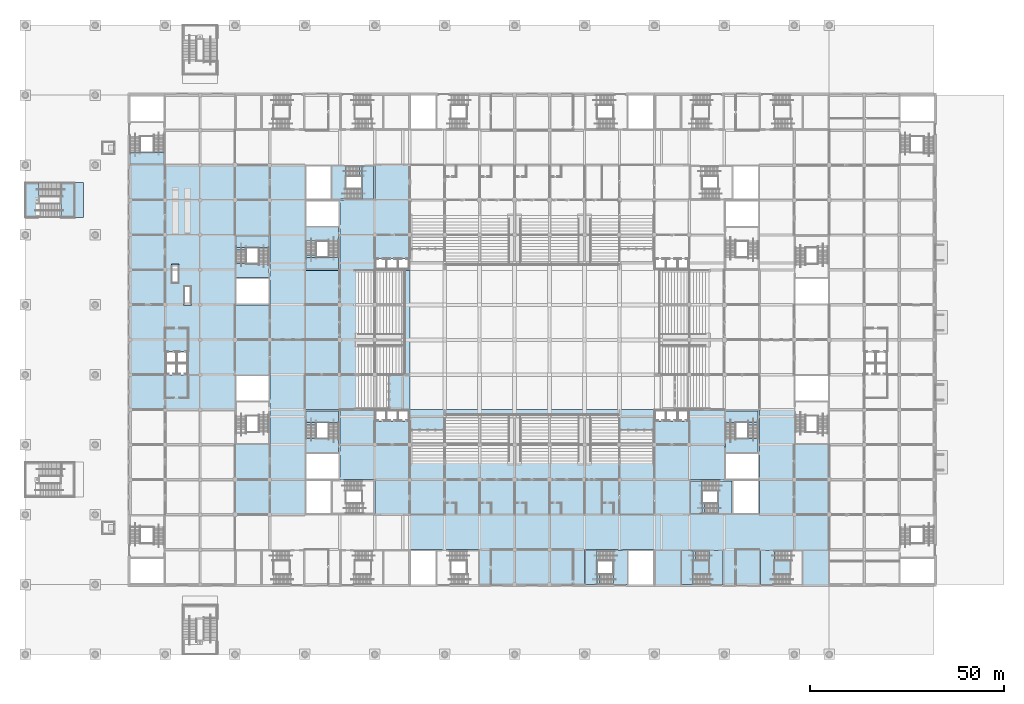
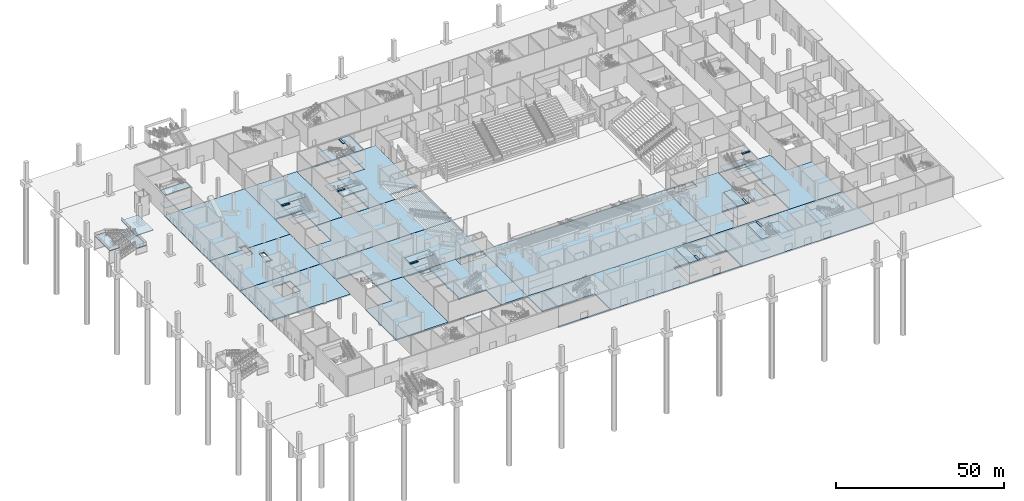
# One storey, part 19 of 92: 50 slabs, 11 elements without a shape of their own.
"""IFC4 building model written with IfcOpenShell, lengths in metres."""

from ifc_helpers import new_model, si_unit, direction, frame, origin, place, context, subcontext, project, spatial, polyline, outline, extrude, material, layer, layer_set, type_object, element, aggregate, save


model = new_model("IFC4")

# Units and contexts
model_context = context("Model", 3, precision=1e-05, world=origin(), true_north=direction((0.0, 1.0)))
body_context = subcontext(model_context, "Body", "Model", "MODEL_VIEW")
ifc_project = project(units=[si_unit("LENGTHUNIT", "METRE"), si_unit("AREAUNIT", "SQUARE_METRE"), si_unit("VOLUMEUNIT", "CUBIC_METRE"), si_unit("PLANEANGLEUNIT", "RADIAN"), si_unit("MASSUNIT", "GRAM", prefix="KILO")], contexts=[model_context])

# Site, building, storey
site_placement = place(None, origin())
site = spatial("IfcSite", under=ifc_project, at=site_placement, CompositionType="ELEMENT")
building_placement = place(site_placement, origin())
building = spatial("IfcBuilding", under=site, at=building_placement, Name="Silverbay Arena", CompositionType="ELEMENT")
storey_placement = place(building_placement, origin())
storey = spatial("IfcBuildingStorey", under=building, at=storey_placement, Name="L00", CompositionType="ELEMENT", Elevation=0.0)

# Slabs
ifc_material_1 = material(Name="Stainless steel", Category="steel")
ifc_layer_1 = layer(ifc_material_1, 0.011962890625)
ifc_layer_set_1 = layer_set([ifc_layer_1], Name="Stainless steel")
slab_type_1 = type_object("IfcSlabType", Name="Escalator landing plate 12", PredefinedType="LANDING", material=ifc_layer_set_1)
slab_1_placement = place(storey_placement, origin())
element("IfcSlab", 1, at=slab_1_placement, inside=storey, type_object=slab_type_1, Name="Escalator landing plate LF28", PredefinedType="LANDING", context=body_context, shape_type="SweptSolid", body=[
    extrude(outline(polyline([(37.60009765625, 99.892333984375), (39.60009765625, 99.892333984375), (39.60009765625, 100.542236328125), (37.60009765625, 100.542236328125), (37.60009765625, 99.892333984375)])), origin(), (0.0, 0.0, 1.0), 0.011962890625),
])
slab_2_placement = place(storey_placement, origin())
element("IfcSlab", 2, at=slab_2_placement, inside=storey, type_object=slab_type_1, Name="Escalator landing plate LF29", PredefinedType="LANDING", context=body_context, shape_type="SweptSolid", body=[
    extrude(outline(polyline([(40.800048828125, 89.85009765625), (42.800048828125, 89.85009765625), (42.800048828125, 90.5), (40.800048828125, 90.5), (40.800048828125, 89.85009765625)])), origin(), (0.0, 0.0, 1.0), 0.011962890625),
])
ifc_material_2 = material(Name="Concrete Grade C45", Category="concrete")
ifc_layer_2 = layer(ifc_material_2, 0.449951171875)
ifc_layer_set_2 = layer_set([ifc_layer_2], Name="Concrete Grade C45")
slab_type_2 = type_object("IfcSlabType", Name="RC floor slab 450", PredefinedType="FLOOR", material=ifc_layer_set_2)
slab_3_placement = place(storey_placement, frame((0.0, 0.0, -0.449951171875)))
element("IfcSlab", 3, at=slab_3_placement, inside=storey, type_object=slab_type_2, Name="Floor slab L00 unit 3", PredefinedType="FLOOR", context=body_context, shape_type="SweptSolid", body=[
    extrude(outline(polyline([(162.0, 35.97509765625), (162.0, 27.0), (144.0, 27.0), (144.0, 18.0), (162.0, 18.0), (162.0, 17.5), (99.0, 17.5), (99.0, 18.0), (117.0, 18.0), (117.0, 27.0), (99.0, 27.0), (99.0, 35.97509765625), (162.0, 35.97509765625)])), origin(), (0.0, 0.0, 1.0), 0.449951171875),
])
slab_4_placement = place(storey_placement, frame((0.0, 0.0, -0.449951171875)))
element("IfcSlab", 4, at=slab_4_placement, inside=storey, type_object=slab_type_2, Name="Floor slab L00 unit 4", PredefinedType="FLOOR", context=body_context, shape_type="SweptSolid", body=[
    extrude(outline(polyline([(207.0, 17.5), (162.0, 17.5), (162.0, 35.97509765625), (207.0, 35.97509765625), (207.0, 17.5)])), origin(), (0.0, 0.0, 1.0), 0.449951171875),
])
slab_5_placement = place(storey_placement, frame((0.0, 0.0, -0.449951171875)))
element("IfcSlab", 5, at=slab_5_placement, inside=storey, type_object=slab_type_2, Name="Floor slab L00 unit 7", PredefinedType="FLOOR", context=body_context, shape_type="SweptSolid", body=[
    extrude(outline(polyline([(99.0, 63.10009765625), (99.0, 62.75), (98.5, 62.75), (98.5, 63.0), (96.35009765625, 63.0), (96.35009765625, 62.75), (95.64990234375, 62.75), (95.64990234375, 63.0), (93.35009765625, 63.0), (93.35009765625, 62.75), (92.64990234375, 62.75), (92.64990234375, 63.0), (90.0, 63.0), (90.0, 60.0), (92.64990234375, 60.0), (92.64990234375, 60.25), (93.35009765625, 60.25), (93.35009765625, 60.0), (95.64990234375, 60.0), (95.64990234375, 60.25), (96.35009765625, 60.25), (96.35009765625, 60.0), (98.5, 60.0), (98.5, 60.25), (99.0, 60.25), (99.0, 35.97509765625), (54.0, 35.97509765625), (54.0, 54.0), (63.0, 54.0), (63.0, 63.10009765625), (99.0, 63.10009765625)]), holes=[polyline([(78.39990234375, 36.300048828125), (79.300048828125, 36.300048828125), (79.300048828125, 36.0), (90.0, 36.0), (90.0, 45.0), (81.0, 45.0), (81.0, 44.699951171875), (80.699951171875, 44.699951171875), (80.699951171875, 45.60009765625), (81.0, 45.60009765625), (81.0, 51.39990234375), (80.699951171875, 51.39990234375), (80.699951171875, 52.300048828125), (81.0, 52.300048828125), (81.0, 63.0), (72.0, 63.0), (72.0, 52.300048828125), (72.300048828125, 52.300048828125), (72.300048828125, 51.39990234375), (72.0, 51.39990234375), (72.0, 45.60009765625), (72.300048828125, 45.60009765625), (72.300048828125, 44.699951171875), (72.0, 44.699951171875), (72.0, 36.0), (78.39990234375, 36.0), (78.39990234375, 36.300048828125)])]), origin(), (0.0, 0.0, 1.0), 0.449951171875),
])
slab_6_placement = place(storey_placement, frame((0.0, 0.0, -0.449951171875)))
element("IfcSlab", 6, at=slab_6_placement, inside=storey, type_object=slab_type_2, Name="Floor slab L00 unit 8", PredefinedType="FLOOR", context=body_context, shape_type="SweptSolid", body=[
    extrude(outline(polyline([(99.0, 63.10009765625), (162.0, 63.10009765625), (162.0, 35.97509765625), (99.0, 35.97509765625), (99.0, 63.10009765625)])), origin(), (0.0, 0.0, 1.0), 0.449951171875),
])
slab_7_placement = place(storey_placement, frame((0.0, 0.0, -0.449951171875)))
element("IfcSlab", 7, at=slab_7_placement, inside=storey, type_object=slab_type_2, Name="Floor slab L00 unit 9", PredefinedType="FLOOR", context=body_context, shape_type="SweptSolid", body=[
    extrude(outline(polyline([(162.5, 60.25), (162.5, 60.0), (164.64990234375, 60.0), (164.64990234375, 60.25), (165.35009765625, 60.25), (165.35009765625, 60.0), (167.64990234375, 60.0), (167.64990234375, 60.25), (168.35009765625, 60.25), (168.35009765625, 60.0), (171.0, 60.0), (171.0, 63.0), (168.35009765625, 63.0), (168.35009765625, 62.75), (167.64990234375, 62.75), (167.64990234375, 63.0), (165.35009765625, 63.0), (165.35009765625, 62.75), (164.64990234375, 62.75), (164.64990234375, 63.0), (162.5, 63.0), (162.5, 62.75), (162.0, 62.75), (162.0, 63.10009765625), (198.0, 63.10009765625), (198.0, 54.0), (207.0, 54.0), (207.0, 35.97509765625), (162.0, 35.97509765625), (162.0, 60.25), (162.5, 60.25)]), holes=[polyline([(181.699951171875, 36.300048828125), (182.60009765625, 36.300048828125), (182.60009765625, 36.0), (189.0, 36.0), (189.0, 44.699951171875), (188.699951171875, 44.699951171875), (188.699951171875, 45.60009765625), (189.0, 45.60009765625), (189.0, 51.39990234375), (188.699951171875, 51.39990234375), (188.699951171875, 52.300048828125), (189.0, 52.300048828125), (189.0, 63.0), (180.0, 63.0), (180.0, 52.300048828125), (180.300048828125, 52.300048828125), (180.300048828125, 51.39990234375), (180.0, 51.39990234375), (180.0, 45.60009765625), (180.300048828125, 45.60009765625), (180.300048828125, 44.699951171875), (180.0, 44.699951171875), (180.0, 45.0), (171.0, 45.0), (171.0, 36.0), (181.699951171875, 36.0), (181.699951171875, 36.300048828125)])]), origin(), (0.0, 0.0, 1.0), 0.449951171875),
])
slab_8_placement = place(storey_placement, frame((0.0, 0.0, -0.449951171875)))
element("IfcSlab", 8, at=slab_8_placement, inside=storey, type_object=slab_type_2, Name="Floor slab L00 unit 11", PredefinedType="FLOOR", context=body_context, shape_type="SweptSolid", body=[
    extrude(outline(polyline([(26.5, 98.89990234375), (37.75, 98.89990234375), (37.75, 95.6298828125), (39.449951171875, 95.6298828125), (39.449951171875, 98.89990234375), (54.0, 98.89990234375), (54.0, 97.300048828125), (54.300048828125, 97.300048828125), (54.300048828125, 96.39990234375), (54.0, 96.39990234375), (54.0, 90.60009765625), (54.300048828125, 90.60009765625), (54.300048828125, 90.0), (54.0, 90.0), (54.0, 81.050048828125), (26.5, 81.050048828125), (26.5, 98.89990234375)]), holes=[polyline([(40.949951171875, 94.764892578125), (40.949951171875, 90.0), (42.64990234375, 90.0), (42.64990234375, 94.764892578125), (40.949951171875, 94.764892578125)])]), origin(), (0.0, 0.0, 1.0), 0.449951171875),
])
slab_9_placement = place(storey_placement, frame((0.0, 0.0, -0.449951171875)))
element("IfcSlab", 9, at=slab_9_placement, inside=storey, type_object=slab_type_2, Name="Floor slab L00 unit 11 B", PredefinedType="FLOOR", context=body_context, shape_type="SweptSolid", body=[
    extrude(outline(polyline([(54.300048828125, 64.699951171875), (54.0, 64.699951171875), (54.0, 63.10009765625), (26.5, 63.10009765625), (26.5, 81.0), (54.0, 81.0), (54.0, 72.0), (54.300048828125, 72.0), (54.300048828125, 71.39990234375), (54.0, 71.39990234375), (54.0, 65.60009765625), (54.300048828125, 65.60009765625), (54.300048828125, 64.699951171875)]), holes=[polyline([(39.35009765625, 72.25), (39.35009765625, 72.0), (42.0, 72.0), (42.0, 78.0), (39.35009765625, 78.0), (39.35009765625, 77.75), (38.64990234375, 77.75), (38.64990234375, 78.0), (36.0, 78.0), (36.0, 72.0), (38.64990234375, 72.0), (38.64990234375, 72.25), (39.35009765625, 72.25)])]), origin(), (0.0, 0.0, 1.0), 0.449951171875),
])
slab_10_placement = place(storey_placement, frame((0.0, 0.0, -0.449951171875)))
element("IfcSlab", 10, at=slab_10_placement, inside=storey, type_object=slab_type_2, Name="Floor slab L00 unit 12", PredefinedType="FLOOR", context=body_context, shape_type="SweptSolid", body=[
    extrude(outline(polyline([(62.699951171875, 65.60009765625), (63.0, 65.60009765625), (63.0, 72.0), (54.0, 72.0), (54.0, 81.0), (99.0, 81.0), (99.0, 63.10009765625), (63.0, 63.10009765625), (63.0, 64.699951171875), (62.699951171875, 64.699951171875), (62.699951171875, 65.60009765625)])), origin(), (0.0, 0.0, 1.0), 0.449951171875),
])
slab_11_placement = place(storey_placement, frame((0.0, 0.0, -0.449951171875)))
element("IfcSlab", 11, at=slab_11_placement, inside=storey, type_object=slab_type_2, Name="Floor slab L00 unit 12 B", PredefinedType="FLOOR", context=body_context, shape_type="SweptSolid", body=[
    extrude(outline(polyline([(54.0, 90.0), (63.0, 90.0), (63.0, 96.39990234375), (62.699951171875, 96.39990234375), (62.699951171875, 97.300048828125), (63.0, 97.300048828125), (63.0, 98.89990234375), (99.0, 98.89990234375), (99.0, 81.050048828125), (54.0, 81.050048828125), (54.0, 90.0)])), origin(), (0.0, 0.0, 1.0), 0.449951171875),
])
slab_12_placement = place(storey_placement, frame((0.0, 0.0, -0.449951171875)))
element("IfcSlab", 12, at=slab_12_placement, inside=storey, type_object=slab_type_2, Name="Floor slab L00 unit 16", PredefinedType="FLOOR", context=body_context, shape_type="SweptSolid", body=[
    extrude(outline(polyline([(54.300048828125, 107.39990234375), (54.0, 107.39990234375), (54.0, 98.89990234375), (39.449951171875, 98.89990234375), (39.449951171875, 100.389892578125), (37.75, 100.389892578125), (37.75, 98.89990234375), (26.5, 98.89990234375), (26.5, 126.02490234375), (27.0, 126.02490234375), (27.0, 126.0), (36.0, 126.0), (36.0, 126.02490234375), (54.0, 126.02490234375), (54.0, 108.0), (54.300048828125, 108.0), (54.300048828125, 107.39990234375)])), origin(), (0.0, 0.0, 1.0), 0.449951171875),
])
slab_13_placement = place(storey_placement, frame((0.0, 0.0, -0.449951171875)))
element("IfcSlab", 13, at=slab_13_placement, inside=storey, type_object=slab_type_2, Name="Floor slab L00 unit 17", PredefinedType="FLOOR", context=body_context, shape_type="SweptSolid", body=[
    extrude(outline(polyline([(92.64990234375, 99.0), (92.64990234375, 99.25), (93.35009765625, 99.25), (93.35009765625, 99.0), (95.64990234375, 99.0), (95.64990234375, 99.25), (96.35009765625, 99.25), (96.35009765625, 99.0), (98.5, 99.0), (98.5, 99.25), (99.0, 99.25), (99.0, 98.89990234375), (63.0, 98.89990234375), (63.0, 108.0), (54.0, 108.0), (54.0, 126.02490234375), (99.0, 126.02490234375), (99.0, 101.75), (98.5, 101.75), (98.5, 102.0), (96.35009765625, 102.0), (96.35009765625, 101.75), (95.64990234375, 101.75), (95.64990234375, 102.0), (93.35009765625, 102.0), (93.35009765625, 101.75), (92.64990234375, 101.75), (92.64990234375, 102.0), (90.0, 102.0), (90.0, 99.0), (92.64990234375, 99.0)]), holes=[polyline([(72.300048828125, 110.60009765625), (72.300048828125, 109.699951171875), (72.0, 109.699951171875), (72.0, 99.0), (81.0, 99.0), (81.0, 109.699951171875), (80.699951171875, 109.699951171875), (80.699951171875, 110.60009765625), (81.0, 110.60009765625), (81.0, 116.39990234375), (80.699951171875, 116.39990234375), (80.699951171875, 117.300048828125), (81.0, 117.300048828125), (81.0, 117.0), (90.0, 117.0), (90.0, 126.0), (79.300048828125, 126.0), (79.300048828125, 125.699951171875), (78.39990234375, 125.699951171875), (78.39990234375, 126.0), (72.0, 126.0), (72.0, 117.300048828125), (72.300048828125, 117.300048828125), (72.300048828125, 116.39990234375), (72.0, 116.39990234375), (72.0, 110.60009765625), (72.300048828125, 110.60009765625)])]), origin(), (0.0, 0.0, 1.0), 0.449951171875),
])

# Stair, slab
ifc_material_3 = material(Name="Concrete Grade C45", Category="concrete")
stair_type_1 = type_object("IfcStairType", Name="Stair 2600 wide 48 risers 145.8 x 300", PredefinedType="HALF_TURN_STAIR", material=ifc_material_3)
stair_1_placement = place(storey_placement, origin())
stair_1 = element("IfcStair", 14, at=stair_1_placement, inside=storey, type_object=stair_type_1, Name="Stair ST-S3 L00 to L01", PredefinedType="HALF_TURN_STAIR")
ifc_material_4 = material(Name="Concrete Grade C45", Category="concrete")
ifc_layer_3 = layer(ifc_material_4, 0.25)
ifc_layer_set_3 = layer_set([ifc_layer_3], Name="Concrete Grade C45")
slab_type_3 = type_object("IfcSlabType", Name="Stair arrival platform RC 250", PredefinedType="FLOOR", material=ifc_layer_set_3)
slab_14_placement = place(storey_placement, frame((0.0, 0.0, 6.75)))
slab_14 = element("IfcSlab", 15, at=slab_14_placement, type_object=slab_type_3, Name="Stair ST-S3 L00 to L01 arrival platform 4", PredefinedType="FLOOR", context=body_context, shape_type="SweptSolid", body=[
    extrude(outline(polyline([(147.89990234375, 20.60009765625), (147.2431640625, 20.60009765625), (147.2431640625, 18.0), (147.89990234375, 18.0), (147.89990234375, 20.60009765625)])), origin(), (0.0, 0.0, 1.0), 0.25),
])

stair_2_placement = place(storey_placement, origin())
stair_2 = element("IfcStair", 16, at=stair_2_placement, inside=storey, type_object=stair_type_1, Name="Stair ST-S4 L00 to L01", PredefinedType="HALF_TURN_STAIR")
slab_15_placement = place(storey_placement, frame((0.0, 0.0, 6.75)))
slab_15 = element("IfcSlab", 17, at=slab_15_placement, type_object=slab_type_3, Name="Stair ST-S4 L00 to L01 arrival platform 4", PredefinedType="FLOOR", context=body_context, shape_type="SweptSolid", body=[
    extrude(outline(polyline([(172.60009765625, 26.699951171875), (171.943115234375, 26.699951171875), (171.943115234375, 24.10009765625), (172.60009765625, 24.10009765625), (172.60009765625, 26.699951171875)])), origin(), (0.0, 0.0, 1.0), 0.25),
])

stair_3_placement = place(storey_placement, origin())
stair_3 = element("IfcStair", 18, at=stair_3_placement, inside=storey, type_object=stair_type_1, Name="Stair ST-W2 L00 to L01", PredefinedType="HALF_TURN_STAIR")
slab_16_placement = place(storey_placement, frame((0.0, 0.0, 6.75)))
slab_16 = element("IfcSlab", 19, at=slab_16_placement, type_object=slab_type_3, Name="Stair ST-W2 L00 to L01 arrival platform 4", PredefinedType="FLOOR", context=body_context, shape_type="SweptSolid", body=[
    extrude(outline(polyline([(56.89990234375, 104.10009765625), (56.89990234375, 104.7568359375), (54.300048828125, 104.7568359375), (54.300048828125, 104.10009765625), (56.89990234375, 104.10009765625)])), origin(), (0.0, 0.0, 1.0), 0.25),
])

stair_4_placement = place(storey_placement, origin())
stair_4 = element("IfcStair", 20, at=stair_4_placement, inside=storey, type_object=stair_type_1, Name="Stair ST-SW2 L00 to L01", PredefinedType="HALF_TURN_STAIR")
slab_17_placement = place(storey_placement, frame((0.0, 0.0, 6.75)))
slab_17 = element("IfcSlab", 21, at=slab_17_placement, type_object=slab_type_3, Name="Stair ST-SW2 L00 to L01 arrival platform 4", PredefinedType="FLOOR", context=body_context, shape_type="SweptSolid", body=[
    extrude(outline(polyline([(74.89990234375, 59.10009765625), (74.89990234375, 59.7568359375), (72.300048828125, 59.7568359375), (72.300048828125, 59.10009765625), (74.89990234375, 59.10009765625)])), origin(), (0.0, 0.0, 1.0), 0.25),
])

stair_5_placement = place(storey_placement, origin())
stair_5 = element("IfcStair", 22, at=stair_5_placement, inside=storey, type_object=stair_type_1, Name="Stair ST-SE1 L00 to L01", PredefinedType="HALF_TURN_STAIR")
slab_18_placement = place(storey_placement, frame((0.0, 0.0, 6.75)))
slab_18 = element("IfcSlab", 23, at=slab_18_placement, type_object=slab_type_3, Name="Stair ST-SE1 L00 to L01 arrival platform 4", PredefinedType="FLOOR", context=body_context, shape_type="SweptSolid", body=[
    extrude(outline(polyline([(174.89990234375, 38.89990234375), (174.2431640625, 38.89990234375), (174.2431640625, 36.300048828125), (174.89990234375, 36.300048828125), (174.89990234375, 38.89990234375)])), origin(), (0.0, 0.0, 1.0), 0.25),
])

stair_6_placement = place(storey_placement, origin())
stair_6 = element("IfcStair", 24, at=stair_6_placement, inside=storey, type_object=stair_type_1, Name="Stair ST-SE2 L00 to L01", PredefinedType="HALF_TURN_STAIR")
slab_19_placement = place(storey_placement, frame((0.0, 0.0, 6.75)))
slab_19 = element("IfcSlab", 25, at=slab_19_placement, type_object=slab_type_3, Name="Stair ST-SE2 L00 to L01 arrival platform 4", PredefinedType="FLOOR", context=body_context, shape_type="SweptSolid", body=[
    extrude(outline(polyline([(186.10009765625, 59.10009765625), (186.10009765625, 59.7568359375), (188.699951171875, 59.7568359375), (188.699951171875, 59.10009765625), (186.10009765625, 59.10009765625)])), origin(), (0.0, 0.0, 1.0), 0.25),
])

stair_7_placement = place(storey_placement, origin())
stair_7 = element("IfcStair", 26, at=stair_7_placement, inside=storey, type_object=stair_type_1, Name="Stair ST-NW1 L00 to L01", PredefinedType="HALF_TURN_STAIR")
slab_20_placement = place(storey_placement, frame((0.0, 0.0, 6.75)))
slab_20 = element("IfcSlab", 27, at=slab_20_placement, type_object=slab_type_3, Name="Stair ST-NW1 L00 to L01 arrival platform 4", PredefinedType="FLOOR", context=body_context, shape_type="SweptSolid", body=[
    extrude(outline(polyline([(86.10009765625, 123.10009765625), (86.7568359375, 123.10009765625), (86.7568359375, 125.699951171875), (86.10009765625, 125.699951171875), (86.10009765625, 123.10009765625)])), origin(), (0.0, 0.0, 1.0), 0.25),
])

stair_8_placement = place(storey_placement, origin())
stair_8 = element("IfcStair", 28, at=stair_8_placement, inside=storey, type_object=stair_type_1, Name="Stair ST-NW2 L00 to L01", PredefinedType="HALF_TURN_STAIR")
slab_21_placement = place(storey_placement, frame((0.0, 0.0, 6.75)))
slab_21 = element("IfcSlab", 29, at=slab_21_placement, type_object=slab_type_3, Name="Stair ST-NW2 L00 to L01 arrival platform 4", PredefinedType="FLOOR", context=body_context, shape_type="SweptSolid", body=[
    extrude(outline(polyline([(74.89990234375, 102.89990234375), (74.89990234375, 102.2431640625), (72.300048828125, 102.2431640625), (72.300048828125, 102.89990234375), (74.89990234375, 102.89990234375)])), origin(), (0.0, 0.0, 1.0), 0.25),
])

# Slab
ifc_material_5 = material(Name="Concrete Grade C45", Category="concrete")
ifc_layer_4 = layer(ifc_material_5, 0.25)
ifc_layer_set_4 = layer_set([ifc_layer_4], Name="Concrete Grade C45")
slab_type_4 = type_object("IfcSlabType", Name="Stair landing RC 250", PredefinedType="LANDING", material=ifc_layer_set_4)
slab_22_placement = place(storey_placement, frame((0.0, 0.0, 2.083251953125)))
slab_22 = element("IfcSlab", 30, at=slab_22_placement, type_object=slab_type_4, Name="Stair ST-S3 L00 to L01 landing 1", PredefinedType="LANDING", context=body_context, shape_type="SweptSolid", body=[
    extrude(outline(polyline([(147.2431640625, 26.699951171875), (144.300048828125, 26.699951171875), (144.300048828125, 18.0), (147.2431640625, 18.0), (147.2431640625, 26.699951171875)])), origin(), (0.0, 0.0, 1.0), 0.25),
])

slab_23_placement = place(storey_placement, frame((0.0, 0.0, 4.416748046875)))
slab_23 = element("IfcSlab", 31, at=slab_23_placement, type_object=slab_type_4, Name="Stair ST-S3 L00 to L01 landing 2", PredefinedType="LANDING", context=body_context, shape_type="SweptSolid", body=[
    extrude(outline(polyline([(155.0, 26.699951171875), (151.39990234375, 26.699951171875), (151.39990234375, 18.0), (155.0, 18.0), (155.0, 26.699951171875)])), origin(), (0.0, 0.0, 1.0), 0.25),
])

slab_24_placement = place(storey_placement, frame((0.0, 0.0, 6.75)))
slab_24 = element("IfcSlab", 32, at=slab_24_placement, type_object=slab_type_4, Name="Stair ST-S3 L00 to L01 landing 3", PredefinedType="LANDING", context=body_context, shape_type="SweptSolid", body=[
    extrude(outline(polyline([(147.2431640625, 26.699951171875), (144.300048828125, 26.699951171875), (144.300048828125, 18.0), (147.2431640625, 18.0), (147.2431640625, 26.699951171875)])), origin(), (0.0, 0.0, 1.0), 0.25),
])

aggregate(stair_1, [slab_22, slab_23, slab_24, slab_14])

slab_25_placement = place(storey_placement, frame((0.0, 0.0, 2.083251953125)))
slab_25 = element("IfcSlab", 33, at=slab_25_placement, type_object=slab_type_4, Name="Stair ST-S4 L00 to L01 landing 1", PredefinedType="LANDING", context=body_context, shape_type="SweptSolid", body=[
    extrude(outline(polyline([(171.943115234375, 26.699951171875), (169.0, 26.699951171875), (169.0, 18.0), (171.943115234375, 18.0), (171.943115234375, 26.699951171875)])), origin(), (0.0, 0.0, 1.0), 0.25),
])

slab_26_placement = place(storey_placement, frame((0.0, 0.0, 4.416748046875)))
slab_26 = element("IfcSlab", 34, at=slab_26_placement, type_object=slab_type_4, Name="Stair ST-S4 L00 to L01 landing 2", PredefinedType="LANDING", context=body_context, shape_type="SweptSolid", body=[
    extrude(outline(polyline([(179.699951171875, 26.699951171875), (176.10009765625, 26.699951171875), (176.10009765625, 18.0), (179.699951171875, 18.0), (179.699951171875, 26.699951171875)])), origin(), (0.0, 0.0, 1.0), 0.25),
])

slab_27_placement = place(storey_placement, frame((0.0, 0.0, 6.75)))
slab_27 = element("IfcSlab", 35, at=slab_27_placement, type_object=slab_type_4, Name="Stair ST-S4 L00 to L01 landing 3", PredefinedType="LANDING", context=body_context, shape_type="SweptSolid", body=[
    extrude(outline(polyline([(171.943115234375, 26.699951171875), (169.0, 26.699951171875), (169.0, 18.0), (171.943115234375, 18.0), (171.943115234375, 26.699951171875)])), origin(), (0.0, 0.0, 1.0), 0.25),
])

aggregate(stair_2, [slab_25, slab_26, slab_27, slab_15])

# Stair, slab
stair_9_placement = place(storey_placement, origin())
stair_9 = element("IfcStair", 36, at=stair_9_placement, inside=storey, type_object=stair_type_1, Name="Stair ST-S6 L00 to L01", PredefinedType="HALF_TURN_STAIR")
slab_28_placement = place(storey_placement, frame((0.0, 0.0, 4.416748046875)))
slab_28 = element("IfcSlab", 37, at=slab_28_placement, type_object=slab_type_4, Name="Stair ST-S6 L00 to L01 landing 2", PredefinedType="LANDING", context=body_context, shape_type="SweptSolid", body=[
    extrude(outline(polyline([(189.300048828125, 26.699951171875), (192.89990234375, 26.699951171875), (192.89990234375, 18.0), (189.300048828125, 18.0), (189.300048828125, 26.699951171875)])), origin(), (0.0, 0.0, 1.0), 0.25),
])
aggregate(stair_9, [slab_28])

# Slab
slab_29_placement = place(storey_placement, frame((0.0, 0.0, 2.083251953125)))
slab_29 = element("IfcSlab", 38, at=slab_29_placement, type_object=slab_type_4, Name="Stair ST-W2 L00 to L01 landing 1", PredefinedType="LANDING", context=body_context, shape_type="SweptSolid", body=[
    extrude(outline(polyline([(62.699951171875, 104.7568359375), (62.699951171875, 107.699951171875), (54.300048828125, 107.699951171875), (54.300048828125, 104.7568359375), (62.699951171875, 104.7568359375)])), origin(), (0.0, 0.0, 1.0), 0.25),
])

slab_30_placement = place(storey_placement, frame((0.0, 0.0, 4.416748046875)))
slab_30 = element("IfcSlab", 39, at=slab_30_placement, type_object=slab_type_4, Name="Stair ST-W2 L00 to L01 landing 2", PredefinedType="LANDING", context=body_context, shape_type="SweptSolid", body=[
    extrude(outline(polyline([(62.699951171875, 97.0), (62.699951171875, 100.60009765625), (54.300048828125, 100.60009765625), (54.300048828125, 97.0), (62.699951171875, 97.0)])), origin(), (0.0, 0.0, 1.0), 0.25),
])

slab_31_placement = place(storey_placement, frame((0.0, 0.0, 6.75)))
slab_31 = element("IfcSlab", 40, at=slab_31_placement, type_object=slab_type_4, Name="Stair ST-W2 L00 to L01 landing 3", PredefinedType="LANDING", context=body_context, shape_type="SweptSolid", body=[
    extrude(outline(polyline([(62.699951171875, 104.7568359375), (62.699951171875, 107.699951171875), (54.300048828125, 107.699951171875), (54.300048828125, 104.7568359375), (62.699951171875, 104.7568359375)])), origin(), (0.0, 0.0, 1.0), 0.25),
])

aggregate(stair_3, [slab_29, slab_30, slab_31, slab_16])

slab_32_placement = place(storey_placement, frame((0.0, 0.0, 2.083251953125)))
slab_32 = element("IfcSlab", 41, at=slab_32_placement, type_object=slab_type_4, Name="Stair ST-SW2 L00 to L01 landing 1", PredefinedType="LANDING", context=body_context, shape_type="SweptSolid", body=[
    extrude(outline(polyline([(80.699951171875, 59.7568359375), (80.699951171875, 62.699951171875), (72.300048828125, 62.699951171875), (72.300048828125, 59.7568359375), (80.699951171875, 59.7568359375)])), origin(), (0.0, 0.0, 1.0), 0.25),
])

slab_33_placement = place(storey_placement, frame((0.0, 0.0, 4.416748046875)))
slab_33 = element("IfcSlab", 42, at=slab_33_placement, type_object=slab_type_4, Name="Stair ST-SW2 L00 to L01 landing 2", PredefinedType="LANDING", context=body_context, shape_type="SweptSolid", body=[
    extrude(outline(polyline([(80.699951171875, 52.0), (80.699951171875, 55.60009765625), (72.300048828125, 55.60009765625), (72.300048828125, 52.0), (80.699951171875, 52.0)])), origin(), (0.0, 0.0, 1.0), 0.25),
])

slab_34_placement = place(storey_placement, frame((0.0, 0.0, 6.75)))
slab_34 = element("IfcSlab", 43, at=slab_34_placement, type_object=slab_type_4, Name="Stair ST-SW2 L00 to L01 landing 3", PredefinedType="LANDING", context=body_context, shape_type="SweptSolid", body=[
    extrude(outline(polyline([(80.699951171875, 59.7568359375), (80.699951171875, 62.699951171875), (72.300048828125, 62.699951171875), (72.300048828125, 59.7568359375), (80.699951171875, 59.7568359375)])), origin(), (0.0, 0.0, 1.0), 0.25),
])

aggregate(stair_4, [slab_32, slab_33, slab_34, slab_17])

slab_35_placement = place(storey_placement, frame((0.0, 0.0, 2.083251953125)))
slab_35 = element("IfcSlab", 44, at=slab_35_placement, type_object=slab_type_4, Name="Stair ST-SE1 L00 to L01 landing 1", PredefinedType="LANDING", context=body_context, shape_type="SweptSolid", body=[
    extrude(outline(polyline([(174.2431640625, 44.699951171875), (171.300048828125, 44.699951171875), (171.300048828125, 36.300048828125), (174.2431640625, 36.300048828125), (174.2431640625, 44.699951171875)])), origin(), (0.0, 0.0, 1.0), 0.25),
])

slab_36_placement = place(storey_placement, frame((0.0, 0.0, 4.416748046875)))
slab_36 = element("IfcSlab", 45, at=slab_36_placement, type_object=slab_type_4, Name="Stair ST-SE1 L00 to L01 landing 2", PredefinedType="LANDING", context=body_context, shape_type="SweptSolid", body=[
    extrude(outline(polyline([(182.0, 44.699951171875), (178.39990234375, 44.699951171875), (178.39990234375, 36.300048828125), (182.0, 36.300048828125), (182.0, 44.699951171875)])), origin(), (0.0, 0.0, 1.0), 0.25),
])

slab_37_placement = place(storey_placement, frame((0.0, 0.0, 6.75)))
slab_37 = element("IfcSlab", 46, at=slab_37_placement, type_object=slab_type_4, Name="Stair ST-SE1 L00 to L01 landing 3", PredefinedType="LANDING", context=body_context, shape_type="SweptSolid", body=[
    extrude(outline(polyline([(174.2431640625, 44.699951171875), (171.300048828125, 44.699951171875), (171.300048828125, 36.300048828125), (174.2431640625, 36.300048828125), (174.2431640625, 44.699951171875)])), origin(), (0.0, 0.0, 1.0), 0.25),
])

aggregate(stair_5, [slab_35, slab_36, slab_37, slab_18])

slab_38_placement = place(storey_placement, frame((0.0, 0.0, 2.083251953125)))
slab_38 = element("IfcSlab", 47, at=slab_38_placement, type_object=slab_type_4, Name="Stair ST-SE2 L00 to L01 landing 1", PredefinedType="LANDING", context=body_context, shape_type="SweptSolid", body=[
    extrude(outline(polyline([(180.300048828125, 59.7568359375), (180.300048828125, 62.699951171875), (188.699951171875, 62.699951171875), (188.699951171875, 59.7568359375), (180.300048828125, 59.7568359375)])), origin(), (0.0, 0.0, 1.0), 0.25),
])

slab_39_placement = place(storey_placement, frame((0.0, 0.0, 4.416748046875)))
slab_39 = element("IfcSlab", 48, at=slab_39_placement, type_object=slab_type_4, Name="Stair ST-SE2 L00 to L01 landing 2", PredefinedType="LANDING", context=body_context, shape_type="SweptSolid", body=[
    extrude(outline(polyline([(180.300048828125, 52.0), (180.300048828125, 55.60009765625), (188.699951171875, 55.60009765625), (188.699951171875, 52.0), (180.300048828125, 52.0)])), origin(), (0.0, 0.0, 1.0), 0.25),
])

aggregate(stair_6, [slab_38, slab_39, slab_19])

slab_40_placement = place(storey_placement, frame((0.0, 0.0, 2.083251953125)))
slab_40 = element("IfcSlab", 49, at=slab_40_placement, type_object=slab_type_4, Name="Stair ST-NW1 L00 to L01 landing 1", PredefinedType="LANDING", context=body_context, shape_type="SweptSolid", body=[
    extrude(outline(polyline([(86.7568359375, 117.300048828125), (89.699951171875, 117.300048828125), (89.699951171875, 125.699951171875), (86.7568359375, 125.699951171875), (86.7568359375, 117.300048828125)])), origin(), (0.0, 0.0, 1.0), 0.25),
])

slab_41_placement = place(storey_placement, frame((0.0, 0.0, 4.416748046875)))
slab_41 = element("IfcSlab", 50, at=slab_41_placement, type_object=slab_type_4, Name="Stair ST-NW1 L00 to L01 landing 2", PredefinedType="LANDING", context=body_context, shape_type="SweptSolid", body=[
    extrude(outline(polyline([(79.0, 117.300048828125), (82.60009765625, 117.300048828125), (82.60009765625, 125.699951171875), (79.0, 125.699951171875), (79.0, 117.300048828125)])), origin(), (0.0, 0.0, 1.0), 0.25),
])

slab_42_placement = place(storey_placement, frame((0.0, 0.0, 6.75)))
slab_42 = element("IfcSlab", 51, at=slab_42_placement, type_object=slab_type_4, Name="Stair ST-NW1 L00 to L01 landing 3", PredefinedType="LANDING", context=body_context, shape_type="SweptSolid", body=[
    extrude(outline(polyline([(86.7568359375, 117.300048828125), (89.699951171875, 117.300048828125), (89.699951171875, 125.699951171875), (86.7568359375, 125.699951171875), (86.7568359375, 117.300048828125)])), origin(), (0.0, 0.0, 1.0), 0.25),
])

aggregate(stair_7, [slab_40, slab_41, slab_42, slab_20])

slab_43_placement = place(storey_placement, frame((0.0, 0.0, 2.083251953125)))
slab_43 = element("IfcSlab", 52, at=slab_43_placement, type_object=slab_type_4, Name="Stair ST-NW2 L00 to L01 landing 1", PredefinedType="LANDING", context=body_context, shape_type="SweptSolid", body=[
    extrude(outline(polyline([(80.699951171875, 102.2431640625), (80.699951171875, 99.300048828125), (72.300048828125, 99.300048828125), (72.300048828125, 102.2431640625), (80.699951171875, 102.2431640625)])), origin(), (0.0, 0.0, 1.0), 0.25),
])

slab_44_placement = place(storey_placement, frame((0.0, 0.0, 4.416748046875)))
slab_44 = element("IfcSlab", 53, at=slab_44_placement, type_object=slab_type_4, Name="Stair ST-NW2 L00 to L01 landing 2", PredefinedType="LANDING", context=body_context, shape_type="SweptSolid", body=[
    extrude(outline(polyline([(80.699951171875, 110.0), (80.699951171875, 106.39990234375), (72.300048828125, 106.39990234375), (72.300048828125, 110.0), (80.699951171875, 110.0)])), origin(), (0.0, 0.0, 1.0), 0.25),
])

slab_45_placement = place(storey_placement, frame((0.0, 0.0, 6.75)))
slab_45 = element("IfcSlab", 54, at=slab_45_placement, type_object=slab_type_4, Name="Stair ST-NW2 L00 to L01 landing 3", PredefinedType="LANDING", context=body_context, shape_type="SweptSolid", body=[
    extrude(outline(polyline([(80.699951171875, 102.2431640625), (80.699951171875, 99.300048828125), (72.300048828125, 99.300048828125), (72.300048828125, 102.2431640625), (80.699951171875, 102.2431640625)])), origin(), (0.0, 0.0, 1.0), 0.25),
])

aggregate(stair_8, [slab_43, slab_44, slab_45, slab_21])

# Stair, slabs
stair_10_placement = place(storey_placement, origin())
stair_10 = element("IfcStair", 55, at=stair_10_placement, inside=storey, type_object=stair_type_1, Name="Stair ST-WG2 L00 to L01", PredefinedType="HALF_TURN_STAIR")
slab_46_placement = place(storey_placement, frame((0.0, 0.0, 2.083251953125)))
slab_46 = element("IfcSlab", 56, at=slab_46_placement, type_object=slab_type_4, Name="Stair ST-WG2 L00 to L01 landing 1", PredefinedType="LANDING", context=body_context, shape_type="SweptSolid", body=[
    extrude(outline(polyline([(35.699951171875, 129.2431640625), (35.699951171875, 126.300048828125), (27.0, 126.300048828125), (27.0, 129.2431640625), (35.699951171875, 129.2431640625)])), origin(), (0.0, 0.0, 1.0), 0.25),
])
slab_47_placement = place(storey_placement, frame((0.0, 0.0, 6.75)))
slab_47 = element("IfcSlab", 57, at=slab_47_placement, type_object=slab_type_4, Name="Stair ST-WG2 L00 to L01 landing 3", PredefinedType="LANDING", context=body_context, shape_type="SweptSolid", body=[
    extrude(outline(polyline([(35.699951171875, 129.2431640625), (35.699951171875, 126.300048828125), (27.0, 126.300048828125), (27.0, 129.2431640625), (35.699951171875, 129.2431640625)])), origin(), (0.0, 0.0, 1.0), 0.25),
])
aggregate(stair_10, [slab_46, slab_47])

ifc_material_6 = material(Name="Concrete Grade C45", Category="concrete")
stair_type_2 = type_object("IfcStairType", Name="Stair 3600 wide 48 risers 145.8 x 400", PredefinedType="HALF_TURN_STAIR", material=ifc_material_6)
stair_11_placement = place(storey_placement, origin())
stair_11 = element("IfcStair", 58, at=stair_11_placement, inside=storey, type_object=stair_type_2, Name="Deck stair DS2", PredefinedType="HALF_TURN_STAIR")
slab_48_placement = place(storey_placement, frame((0.0, 0.0, 2.083251953125)))
slab_48 = element("IfcSlab", 59, at=slab_48_placement, type_object=slab_type_4, Name="Deck stair DS2 landing 1", PredefinedType="LANDING", context=body_context, shape_type="SweptSolid", body=[
    extrude(outline(polyline([(9.162109375, 112.5), (12.761962890625, 112.5), (12.761962890625, 121.5), (9.162109375, 121.5), (9.162109375, 112.5)])), origin(), (0.0, 0.0, 1.0), 0.25),
])
slab_49_placement = place(storey_placement, frame((0.0, 0.0, 4.416748046875)))
slab_49 = element("IfcSlab", 60, at=slab_49_placement, type_object=slab_type_4, Name="Deck stair DS2 landing 2", PredefinedType="LANDING", context=body_context, shape_type="SweptSolid", body=[
    extrude(outline(polyline([(0.0, 112.5), (3.60009765625, 112.5), (3.60009765625, 121.5), (0.0, 121.5), (0.0, 112.5)])), origin(), (0.0, 0.0, 1.0), 0.25),
])
slab_50_placement = place(storey_placement, frame((0.0, 0.0, 6.75)))
slab_50 = element("IfcSlab", 61, at=slab_50_placement, type_object=slab_type_4, Name="Deck stair DS2 landing 3", PredefinedType="LANDING", context=body_context, shape_type="SweptSolid", body=[
    extrude(outline(polyline([(9.162109375, 112.5), (15.0, 112.5), (15.0, 121.5), (9.162109375, 121.5), (9.162109375, 112.5)])), origin(), (0.0, 0.0, 1.0), 0.25),
])
aggregate(stair_11, [slab_48, slab_49, slab_50])

save(model, "model.ifc")
